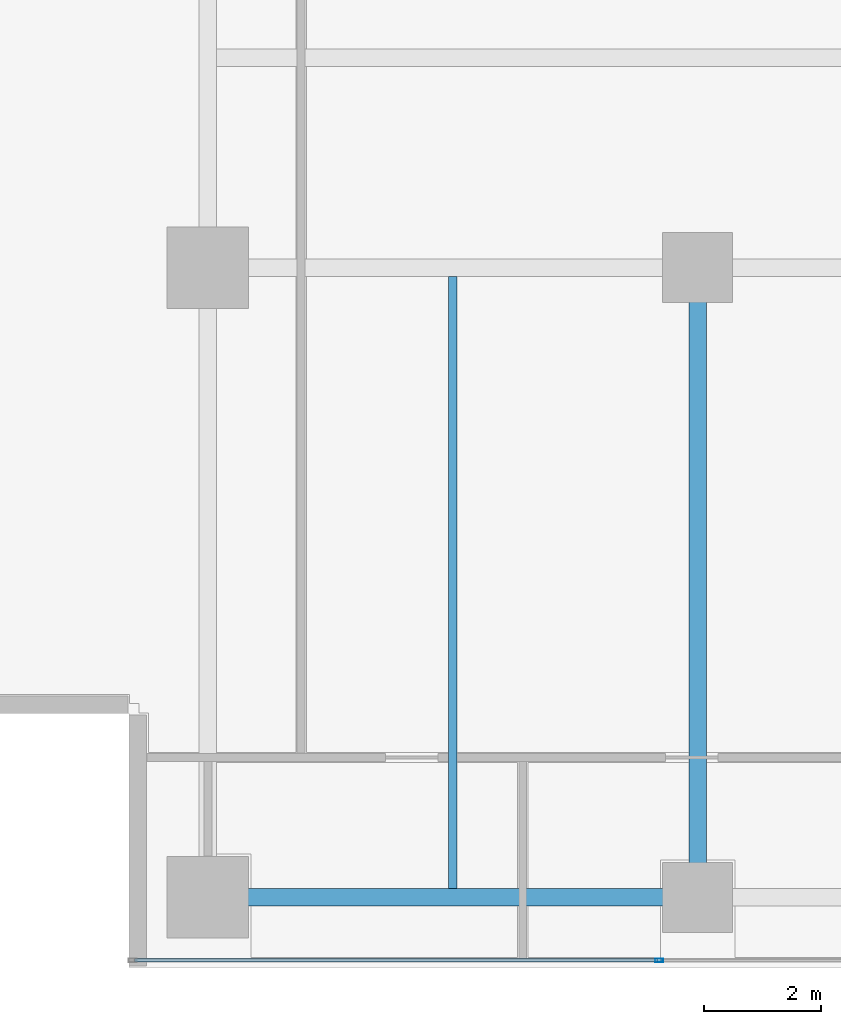
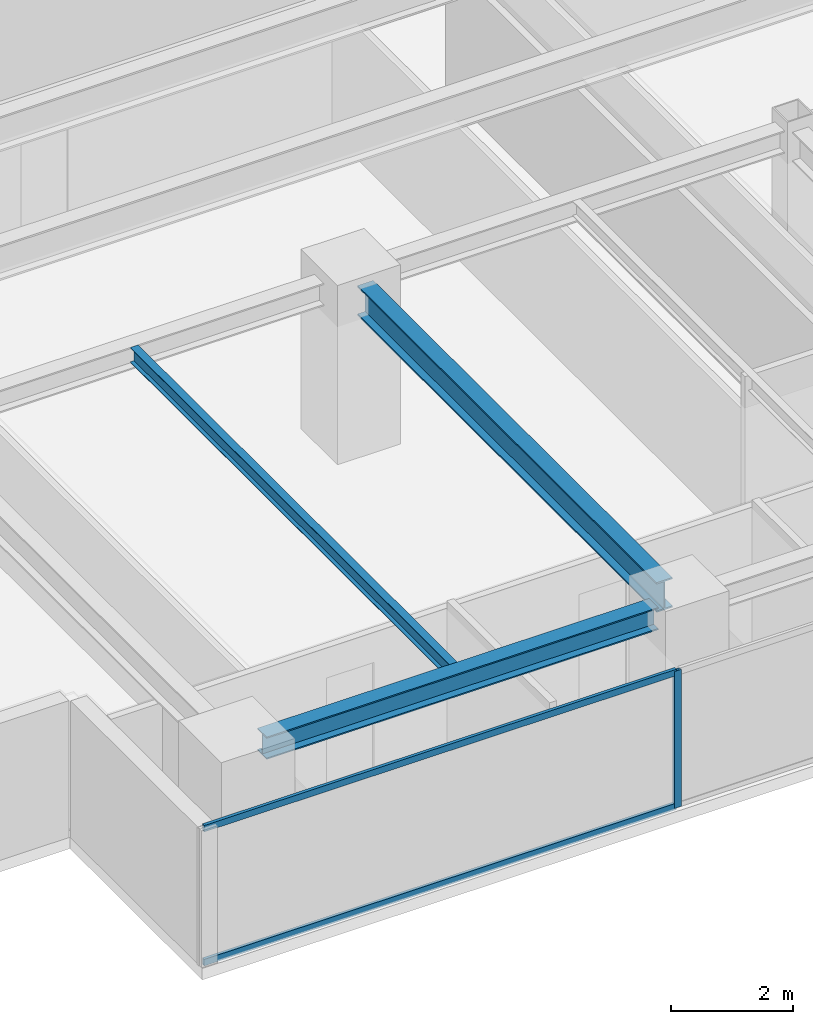
# One storey, part 3 of 25: 3 beams, 3 members, 1 element without a shape of its own.
"""IFC4 building model written with IfcOpenShell, lengths in metres."""

from ifc_helpers import new_model, si_unit, direction, frame, origin, origin_2d, place, context, subcontext, project, spatial, hollow_rectangle, i_section, extrude, source, transform, mapped, material, layer, layer_set, material_profile, profile_set, type_object, element, aggregate, save


model = new_model("IFC4")

# Units and contexts
model_context = context("Model", 3, precision=1e-05, world=origin(), true_north=direction((0.0, 1.0)))
body_context = subcontext(model_context, "Body", "Model", "MODEL_VIEW")
ifc_project = project(units=[si_unit("LENGTHUNIT", "METRE"), si_unit("AREAUNIT", "SQUARE_METRE"), si_unit("VOLUMEUNIT", "CUBIC_METRE"), si_unit("PLANEANGLEUNIT", "RADIAN"), si_unit("MASSUNIT", "GRAM", prefix="KILO")], contexts=[model_context])

# Site, building, storey
site_placement = place(None, origin())
site = spatial("IfcSite", under=ifc_project, at=site_placement, CompositionType="ELEMENT")
building_placement = place(site_placement, origin())
building = spatial("IfcBuilding", under=site, at=building_placement, Name="Sumidabori Civic Tower", CompositionType="ELEMENT")
storey_placement = place(building_placement, frame((0.0, 0.0, 239.60009765625)))
storey = spatial("IfcBuildingStorey", under=building, at=storey_placement, Name="L62", CompositionType="ELEMENT", Elevation=239.60009765625)

# Beams
ifc_material_1 = material(Name="Steel SN490", Category="steel")
ifc_material_profile_1 = material_profile(ifc_material_1, i_section(OverallWidth=0.300048828125, OverallDepth=0.60009765625, WebThickness=0.015380859375, FlangeThickness=0.030029296875, at=origin_2d()), Name="HE 600 B")
ifc_profile_set_1 = profile_set([ifc_material_profile_1], Name="Steel SN490")
beam_type_1 = type_object("IfcBeamType", Name="BM-GIRD-600", PredefinedType="BEAM", material=ifc_profile_set_1)
shared_shape_1 = source(origin(), body_context, "Body", "SweptSolid", [
    extrude(i_section(OverallWidth=0.300048828125, OverallDepth=0.60009765625, WebThickness=0.015380859375, FlangeThickness=0.030029296875, at=origin_2d()), origin(), (0.0, 0.0, 1.0), 9.840087890625),
])
beam_1_placement = place(storey_placement, frame((-8.39990234375, -10.320068359375, 3.06982421875), z_axis=(0.0, 1.0, 0.0), x_axis=(-1.0, 0.0, 0.0)))
element("IfcBeam", 1, at=beam_1_placement, inside=storey, type_object=beam_type_1, Name="Primary Girder L62 GY-12", PredefinedType="BEAM", context=body_context, shape_type="MappedRepresentation", body=[
    mapped(shared_shape_1, transform((0.0, 0.0, 0.0), x_axis=(1.0, 0.0, 0.0), y_axis=(0.0, 1.0, 0.0), z_axis=(0.0, 0.0, 1.0), scale=1.0)),
])
ifc_material_profile_2 = material_profile(ifc_material_1, i_section(OverallWidth=0.300048828125, OverallDepth=0.449951171875, WebThickness=0.013916015625, FlangeThickness=0.02587890625, at=origin_2d()), Name="HE 450 B")
ifc_profile_set_2 = profile_set([ifc_material_profile_2], Name="Steel SN490")
beam_type_2 = type_object("IfcBeamType", Name="BM-GIRD-450", PredefinedType="BEAM", material=ifc_profile_set_2)
shared_shape_2 = source(origin(), body_context, "Body", "SweptSolid", [
    extrude(i_section(OverallWidth=0.300048828125, OverallDepth=0.449951171875, WebThickness=0.013916015625, FlangeThickness=0.02587890625, at=origin_2d()), origin(), (0.0, 0.0, 1.0), 7.440185546875),
])
beam_2_placement = place(storey_placement, frame((-16.320068359375, -10.800048828125, 3.14501953125), z_axis=(1.0, 0.0, 0.0), x_axis=(0.0, 1.0, 0.0)))
element("IfcBeam", 2, at=beam_2_placement, inside=storey, type_object=beam_type_2, Name="Primary Girder L62 GX-01", PredefinedType="BEAM", context=body_context, shape_type="MappedRepresentation", body=[
    mapped(shared_shape_2, transform((0.0, 0.0, 0.0), x_axis=(1.0, 0.0, 0.0), y_axis=(0.0, 1.0, 0.0), z_axis=(0.0, 0.0, 1.0), scale=1.0)),
])
ifc_material_profile_3 = material_profile(ifc_material_1, i_section(OverallWidth=0.14990234375, OverallDepth=0.300048828125, WebThickness=0.007080078125, FlangeThickness=0.0107421875, at=origin_2d()), Name="IPE 300")
ifc_profile_set_3 = profile_set([ifc_material_profile_3], Name="Steel SN490")
beam_type_3 = type_object("IfcBeamType", Name="BM-JST-300", PredefinedType="JOIST", material=ifc_profile_set_3)
shared_shape_3 = source(origin(), body_context, "Body", "SweptSolid", [
    extrude(i_section(OverallWidth=0.14990234375, OverallDepth=0.300048828125, WebThickness=0.007080078125, FlangeThickness=0.0107421875, at=origin_2d()), origin(), (0.0, 0.0, 1.0), 10.5),
])
beam_3_placement = place(storey_placement, frame((-12.60009765625, -10.64990234375, 3.219970703125), z_axis=(0.0, 1.0, 0.0), x_axis=(-1.0, 0.0, 0.0)))
element("IfcBeam", 3, at=beam_3_placement, inside=storey, type_object=beam_type_3, Name="Upper Lens N-S Floor Joist L62 JSTV-20", PredefinedType="JOIST", context=body_context, shape_type="MappedRepresentation", body=[
    mapped(shared_shape_3, transform((0.0, 0.0, 0.0), x_axis=(1.0, 0.0, 0.0), y_axis=(0.0, 1.0, 0.0), z_axis=(0.0, 0.0, 1.0), scale=1.0)),
])

# Curtain wall, members
ifc_material_2 = material(Name="Anodised Bronze Aluminium AW-6063-T6", Category="aluminium")
ifc_layer = layer(ifc_material_2, 0.179931640625, Name="Anodised Bronze Aluminium AW-6063-T6")
ifc_layer_set = layer_set([ifc_layer], Name="Anodised Bronze Aluminium AW-6063-T6")
curtain_wall_type = type_object("IfcCurtainWallType", Name="CW-SYS-5", PredefinedType="NOTDEFINED", material=ifc_layer_set)
curtain_wall_placement = place(storey_placement, origin())
curtain_wall = element("IfcCurtainWall", 4, at=curtain_wall_placement, inside=storey, type_object=curtain_wall_type, Name="Curtain Wall CW:L62:R01", PredefinedType="NOTDEFINED")
ifc_material_profile_4 = material_profile(ifc_material_2, hollow_rectangle(XDim=0.06005859375, YDim=0.139892578125, WallThickness=0.0048828125, at=origin_2d()), Name="ALU MULLION 140x60")
ifc_profile_set_4 = profile_set([ifc_material_profile_4], Name="Anodised Bronze Aluminium AW-6063-T6")
member_type_1 = type_object("IfcMemberType", Name="CW-MUL-140", PredefinedType="MULLION", material=ifc_profile_set_4)
shared_shape_4 = source(origin(), body_context, "Body", "SweptSolid", [
    extrude(hollow_rectangle(XDim=0.06005859375, YDim=0.139892578125, WallThickness=0.0048828125, at=origin_2d()), origin(), (0.0, 0.0, 1.0), 2.75),
])
member_1_placement = place(storey_placement, frame((-9.06005859375, -11.8798828125, 0.0), z_axis=(0.0, 0.0, 1.0), x_axis=(0.0, 1.0, 0.0)))
member_1 = element("IfcMember", 5, at=member_1_placement, type_object=member_type_1, Name="CW-5 mullion 2", PredefinedType="MULLION", context=body_context, shape_type="MappedRepresentation", body=[
    mapped(shared_shape_4, transform((0.0, 0.0, 0.0), x_axis=(1.0, 0.0, 0.0), y_axis=(0.0, 1.0, 0.0), z_axis=(0.0, 0.0, 1.0), scale=1.0)),
])
ifc_material_profile_5 = material_profile(ifc_material_2, hollow_rectangle(XDim=0.06005859375, YDim=0.1298828125, WallThickness=0.0048828125, at=origin_2d()), Name="ALU TRANSOM 130x60")
ifc_profile_set_5 = profile_set([ifc_material_profile_5], Name="Anodised Bronze Aluminium AW-6063-T6")
member_type_2 = type_object("IfcMemberType", Name="CW-TRN-130", PredefinedType="USERDEFINED", material=ifc_profile_set_5)
shared_shape_5 = source(origin(), body_context, "Body", "SweptSolid", [
    extrude(hollow_rectangle(XDim=0.06005859375, YDim=0.1298828125, WallThickness=0.0048828125, at=origin_2d()), origin(), (0.0, 0.0, 1.0), 8.969970703125),
])
member_2_placement = place(storey_placement, frame((-18.06005859375, -11.8798828125, 0.02978515625), z_axis=(1.0, 0.0, 0.0), x_axis=(0.0, 1.0, 0.0)))
member_2 = element("IfcMember", 6, at=member_2_placement, type_object=member_type_2, Name="CW-5 transom 1.1", ObjectType="TRANSOM", PredefinedType="USERDEFINED", context=body_context, shape_type="MappedRepresentation", body=[
    mapped(shared_shape_5, transform((0.0, 0.0, 0.0), x_axis=(1.0, 0.0, 0.0), y_axis=(0.0, 1.0, 0.0), z_axis=(0.0, 0.0, 1.0), scale=1.0)),
])
member_3_placement = place(storey_placement, frame((-18.06005859375, -11.8798828125, 2.719970703125), z_axis=(1.0, 0.0, 0.0), x_axis=(0.0, 1.0, 0.0)))
member_3 = element("IfcMember", 7, at=member_3_placement, type_object=member_type_2, Name="CW-5 transom 1.2", ObjectType="TRANSOM", PredefinedType="USERDEFINED", context=body_context, shape_type="MappedRepresentation", body=[
    mapped(shared_shape_5, transform((0.0, 0.0, 0.0), x_axis=(1.0, 0.0, 0.0), y_axis=(0.0, 1.0, 0.0), z_axis=(0.0, 0.0, 1.0), scale=1.0)),
])
aggregate(curtain_wall, [member_1, member_2, member_3])

save(model, "model.ifc")
